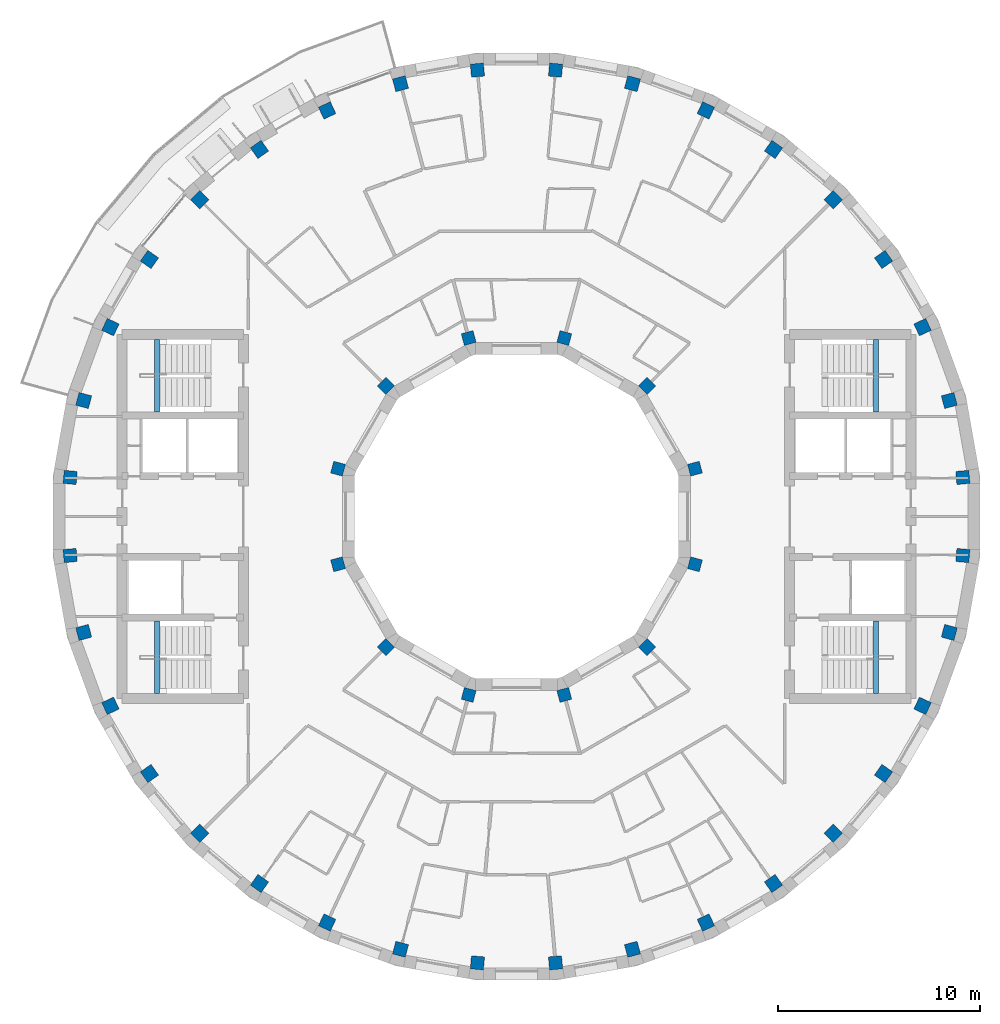
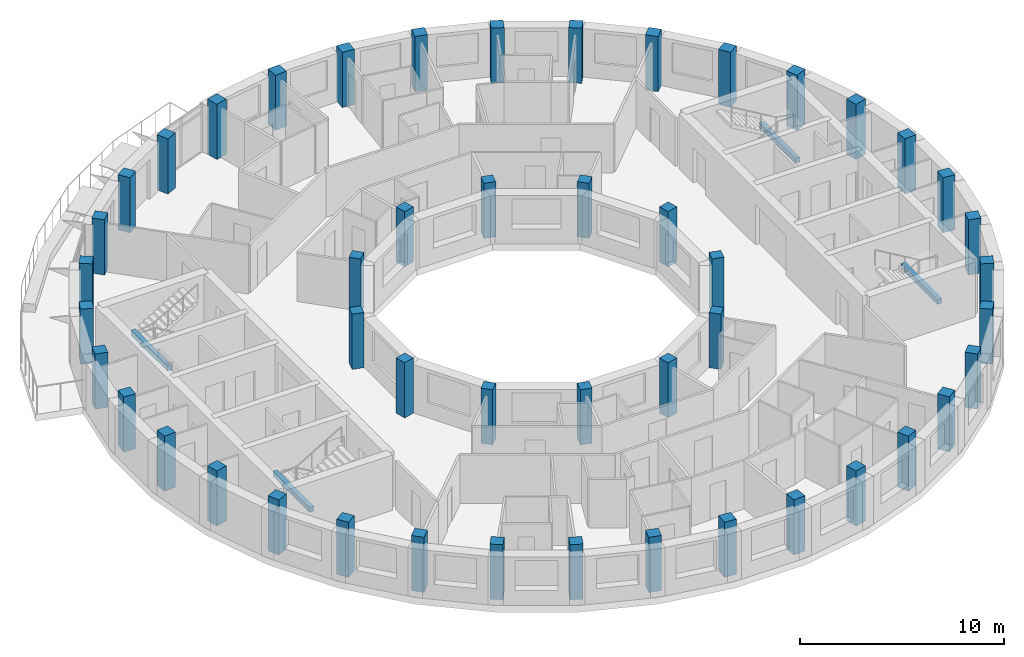
# One storey, part 1 of 12: 48 columns, 4 beams.
"""IFC4 building model written with IfcOpenShell, lengths in metres."""

from ifc_helpers import new_model, si_unit, direction, frame, origin, origin_2d, place, context, subcontext, project, spatial, rectangle, extrude, material, material_profile, profile_set, type_object, element, save


model = new_model("IFC4")

# Units and contexts
model_context = context("Model", 3, precision=1e-05, world=origin(), true_north=direction((0.0, 1.0)))
body_context = subcontext(model_context, "Body", "Model", "MODEL_VIEW")
ifc_project = project(units=[si_unit("LENGTHUNIT", "METRE"), si_unit("AREAUNIT", "SQUARE_METRE"), si_unit("VOLUMEUNIT", "CUBIC_METRE"), si_unit("PLANEANGLEUNIT", "RADIAN"), si_unit("MASSUNIT", "GRAM", prefix="KILO")], contexts=[model_context])

# Site, building, storey
site_placement = place(None, origin())
site = spatial("IfcSite", under=ifc_project, at=site_placement, CompositionType="ELEMENT")
building_placement = place(site_placement, origin())
building = spatial("IfcBuilding", under=site, at=building_placement, Name="Saqina Gate Tower", CompositionType="ELEMENT")
storey_placement = place(building_placement, frame((0.0, 0.0, 233.0)))
storey = spatial("IfcBuildingStorey", under=building, at=storey_placement, Name="L66", CompositionType="ELEMENT", Elevation=233.0)

# Columns
ifc_material_1 = material(Name="Concrete C60/75", Category="concrete")
ifc_material_profile_1 = material_profile(ifc_material_1, rectangle(XDim=0.60009765625, YDim=0.60009765625, at=origin_2d()), Name="RC 600x600")
ifc_profile_set_1 = profile_set([ifc_material_profile_1], Name="Concrete C60/75")
column_type_1 = type_object("IfcColumnType", Name="STR-COL-IN-D", PredefinedType="COLUMN", material=ifc_profile_set_1)
for number, where, z_axis, x_axis, name in (
    (1, (8.821044921875, 2.363525390625, 0.0), (0.0, 0.0, 1.0), (0.965925826289, 0.258819045103, 0.0), "L66-ICL01"),
    (2, (6.45751953125, 6.45751953125, 0.0), (0.0, 0.0, 1.0), (0.707106781187, 0.707106781187, 0.0), "L66-ICL02"),
    (3, (2.363525390625, 8.821044921875, 0.0), (0.0, 0.0, 1.0), (0.258819045103, 0.965925826289, 0.0), "L66-ICL03"),
    (4, (-2.363525390625, 8.821044921875, 0.0), (0.0, 0.0, 1.0), (-0.258819045103, 0.965925826289, 0.0), "L66-ICL04"),
    (5, (-6.45751953125, 6.45751953125, 0.0), (0.0, 0.0, 1.0), (-0.707106781187, 0.707106781187, 0.0), "L66-ICL05"),
    (6, (-8.821044921875, 2.363525390625, 0.0), (0.0, 0.0, 1.0), (-0.965925826289, 0.258819045103, 0.0), "L66-ICL06"),
    (7, (-8.821044921875, -2.363525390625, 0.0), (0.0, 0.0, 1.0), (-0.965925826289, -0.258819045103, 0.0), "L66-ICL07"),
    (8, (-6.45751953125, -6.45751953125, 0.0), (0.0, 0.0, 1.0), (-0.707106781187, -0.707106781187, 0.0), "L66-ICL08"),
    (9, (-2.363525390625, -8.821044921875, 0.0), (0.0, 0.0, 1.0), (-0.258819045103, -0.965925826289, 0.0), "L66-ICL09"),
    (10, (2.363525390625, -8.821044921875, 0.0), (0.0, 0.0, 1.0), (0.258819045103, -0.965925826289, 0.0), "L66-ICL10"),
    (11, (6.45751953125, -6.45751953125, 0.0), (0.0, 0.0, 1.0), (0.707106781187, -0.707106781187, 0.0), "L66-ICL11"),
    (12, (8.821044921875, -2.363525390625, 0.0), (0.0, 0.0, 1.0), (0.965925826289, -0.258819045103, 0.0), "L66-ICL12"),
):
    element("IfcColumn", number, at=place(storey_placement, frame(where, z_axis=z_axis, x_axis=x_axis)), inside=storey, type_object=column_type_1, Name=name, PredefinedType="COLUMN", context=body_context, shape_type="SweptSolid", body=[
        extrude(rectangle(XDim=0.60009765625, YDim=0.60009765625, at=origin_2d()), origin(), (0.0, 0.0, 1.0), 3.300048828125),
    ])
ifc_material_2 = material(Name="Concrete C60/75", Category="concrete")
ifc_material_profile_2 = material_profile(ifc_material_2, rectangle(XDim=0.64990234375, YDim=0.64990234375, at=origin_2d()), Name="RC 650x650")
ifc_profile_set_2 = profile_set([ifc_material_profile_2], Name="Concrete C60/75")
column_type_2 = type_object("IfcColumnType", Name="STR-COL-OUT-D", PredefinedType="COLUMN", material=ifc_profile_set_2)
for number, where, z_axis, x_axis, name in (
    (13, (22.065673828125, 1.930419921875, 0.0), (0.0, 0.0, 1.0), (0.996194698092, 0.087155742748, 0.0), "L66-COL01"),
    (14, (21.395263671875, 5.73291015625, 0.0), (0.0, 0.0, 1.0), (0.965925826289, 0.258819045103, 0.0), "L66-COL02"),
    (15, (20.07470703125, 9.361083984375, 0.0), (0.0, 0.0, 1.0), (0.906307787037, 0.422618261741, 0.0), "L66-COL03"),
    (16, (18.144287109375, 12.704833984375, 0.0), (0.0, 0.0, 1.0), (0.819152044289, 0.573576436351, 0.0), "L66-COL04"),
    (17, (15.662353515625, 15.662353515625, 0.0), (0.0, 0.0, 1.0), (0.707106781187, 0.707106781187, 0.0), "L66-COL05"),
    (18, (12.704833984375, 18.144287109375, 0.0), (0.0, 0.0, 1.0), (0.573576436351, 0.819152044289, 0.0), "L66-COL06"),
    (19, (9.361083984375, 20.07470703125, 0.0), (0.0, 0.0, 1.0), (0.422618261741, 0.906307787037, 0.0), "L66-COL07"),
    (20, (5.73291015625, 21.395263671875, 0.0), (0.0, 0.0, 1.0), (0.258819045103, 0.965925826289, 0.0), "L66-COL08"),
    (21, (1.930419921875, 22.065673828125, 0.0), (0.0, 0.0, 1.0), (0.087155742748, 0.996194698092, 0.0), "L66-COL09"),
    (22, (-1.930419921875, 22.065673828125, 0.0), (0.0, 0.0, 1.0), (-0.087155742748, 0.996194698092, 0.0), "L66-COL10"),
    (23, (-5.73291015625, 21.395263671875, 0.0), (0.0, 0.0, 1.0), (-0.258819045103, 0.965925826289, 0.0), "L66-COL11"),
    (24, (-9.361083984375, 20.07470703125, 0.0), (0.0, 0.0, 1.0), (-0.422618261741, 0.906307787037, 0.0), "L66-COL12"),
    (25, (-12.704833984375, 18.144287109375, 0.0), (0.0, 0.0, 1.0), (-0.573576436351, 0.819152044289, 0.0), "L66-COL13"),
    (26, (-15.662353515625, 15.662353515625, 0.0), (0.0, 0.0, 1.0), (-0.707106781187, 0.707106781187, 0.0), "L66-COL14"),
    (27, (-18.144287109375, 12.704833984375, 0.0), (0.0, 0.0, 1.0), (-0.819152044289, 0.573576436351, 0.0), "L66-COL15"),
    (28, (-20.07470703125, 9.361083984375, 0.0), (0.0, 0.0, 1.0), (-0.906307787037, 0.422618261741, 0.0), "L66-COL16"),
    (29, (-21.395263671875, 5.73291015625, 0.0), (0.0, 0.0, 1.0), (-0.965925826289, 0.258819045103, 0.0), "L66-COL17"),
    (30, (-22.065673828125, 1.930419921875, 0.0), (0.0, 0.0, 1.0), (-0.996194698092, 0.087155742748, 0.0), "L66-COL18"),
    (31, (-22.065673828125, -1.930419921875, 0.0), (0.0, 0.0, 1.0), (-0.996194698092, -0.087155742748, 0.0), "L66-COL19"),
    (32, (-21.395263671875, -5.73291015625, 0.0), (0.0, 0.0, 1.0), (-0.965925826289, -0.258819045103, 0.0), "L66-COL20"),
    (33, (-20.07470703125, -9.361083984375, 0.0), (0.0, 0.0, 1.0), (-0.906307787037, -0.422618261741, 0.0), "L66-COL21"),
    (34, (-18.144287109375, -12.704833984375, 0.0), (0.0, 0.0, 1.0), (-0.819152044289, -0.573576436351, 0.0), "L66-COL22"),
    (35, (-15.662353515625, -15.662353515625, 0.0), (0.0, 0.0, 1.0), (-0.707106781187, -0.707106781187, 0.0), "L66-COL23"),
    (36, (-12.704833984375, -18.144287109375, 0.0), (0.0, 0.0, 1.0), (-0.573576436351, -0.819152044289, 0.0), "L66-COL24"),
    (37, (-9.361083984375, -20.07470703125, 0.0), (0.0, 0.0, 1.0), (-0.422618261741, -0.906307787037, 0.0), "L66-COL25"),
    (38, (-5.73291015625, -21.395263671875, 0.0), (0.0, 0.0, 1.0), (-0.258819045103, -0.965925826289, 0.0), "L66-COL26"),
    (39, (-1.930419921875, -22.065673828125, 0.0), (0.0, 0.0, 1.0), (-0.087155742748, -0.996194698092, 0.0), "L66-COL27"),
    (40, (1.930419921875, -22.065673828125, 0.0), (0.0, 0.0, 1.0), (0.087155742748, -0.996194698092, 0.0), "L66-COL28"),
    (41, (5.73291015625, -21.395263671875, 0.0), (0.0, 0.0, 1.0), (0.258819045103, -0.965925826289, 0.0), "L66-COL29"),
    (42, (9.361083984375, -20.07470703125, 0.0), (0.0, 0.0, 1.0), (0.422618261741, -0.906307787037, 0.0), "L66-COL30"),
    (43, (12.704833984375, -18.144287109375, 0.0), (0.0, 0.0, 1.0), (0.573576436351, -0.819152044289, 0.0), "L66-COL31"),
    (44, (15.662353515625, -15.662353515625, 0.0), (0.0, 0.0, 1.0), (0.707106781187, -0.707106781187, 0.0), "L66-COL32"),
    (45, (18.144287109375, -12.704833984375, 0.0), (0.0, 0.0, 1.0), (0.819152044289, -0.573576436351, 0.0), "L66-COL33"),
    (46, (20.07470703125, -9.361083984375, 0.0), (0.0, 0.0, 1.0), (0.906307787037, -0.422618261741, 0.0), "L66-COL34"),
    (47, (21.395263671875, -5.73291015625, 0.0), (0.0, 0.0, 1.0), (0.965925826289, -0.258819045103, 0.0), "L66-COL35"),
    (48, (22.065673828125, -1.930419921875, 0.0), (0.0, 0.0, 1.0), (0.996194698092, -0.087155742748, 0.0), "L66-COL36"),
):
    element("IfcColumn", number, at=place(storey_placement, frame(where, z_axis=z_axis, x_axis=x_axis)), inside=storey, type_object=column_type_2, Name=name, PredefinedType="COLUMN", context=body_context, shape_type="SweptSolid", body=[
        extrude(rectangle(XDim=0.64990234375, YDim=0.64990234375, at=origin_2d()), origin(), (0.0, 0.0, 1.0), 3.300048828125),
    ])

# Beams
ifc_material_3 = material(Name="Concrete C40/50", Category="concrete")
ifc_material_profile_3 = material_profile(ifc_material_3, rectangle(XDim=0.25, YDim=0.300048828125, at=origin_2d()), Name="STAIR LANDING BEAM")
ifc_profile_set_3 = profile_set([ifc_material_profile_3], Name="Concrete C40/50")
beam_type = type_object("IfcBeamType", Name="STAIR LANDING BEAM", PredefinedType="BEAM", material=ifc_profile_set_3)
for number, where, z_axis, x_axis, name in (
    (49, (17.77001953125, 5.175048828125, 1.25), (0.0, 1.0, 0.0), (-1.0, 0.0, 0.0), "EXIT STAIR 1 LANDING BEAM"),
    (50, (17.77001953125, -8.75, 1.25), (0.0, 1.0, 0.0), (-1.0, 0.0, 0.0), "EXIT STAIR 2 LANDING BEAM"),
    (51, (-17.77001953125, 5.175048828125, 1.25), (0.0, 1.0, 0.0), (-1.0, 0.0, 0.0), "EXIT STAIR 3 LANDING BEAM"),
    (52, (-17.77001953125, -8.75, 1.25), (0.0, 1.0, 0.0), (-1.0, 0.0, 0.0), "EXIT STAIR 4 LANDING BEAM"),
):
    element("IfcBeam", number, at=place(storey_placement, frame(where, z_axis=z_axis, x_axis=x_axis)), inside=storey, type_object=beam_type, Name=name, PredefinedType="BEAM", context=body_context, shape_type="SweptSolid", body=[
        extrude(rectangle(XDim=0.25, YDim=0.300048828125, at=origin_2d()), origin(), (0.0, 0.0, 1.0), 3.574951171875),
    ])

save(model, "model.ifc")
